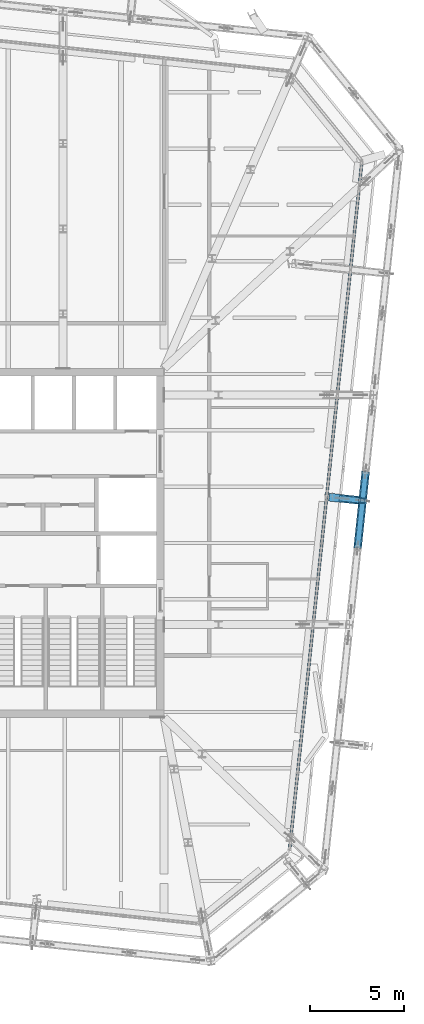
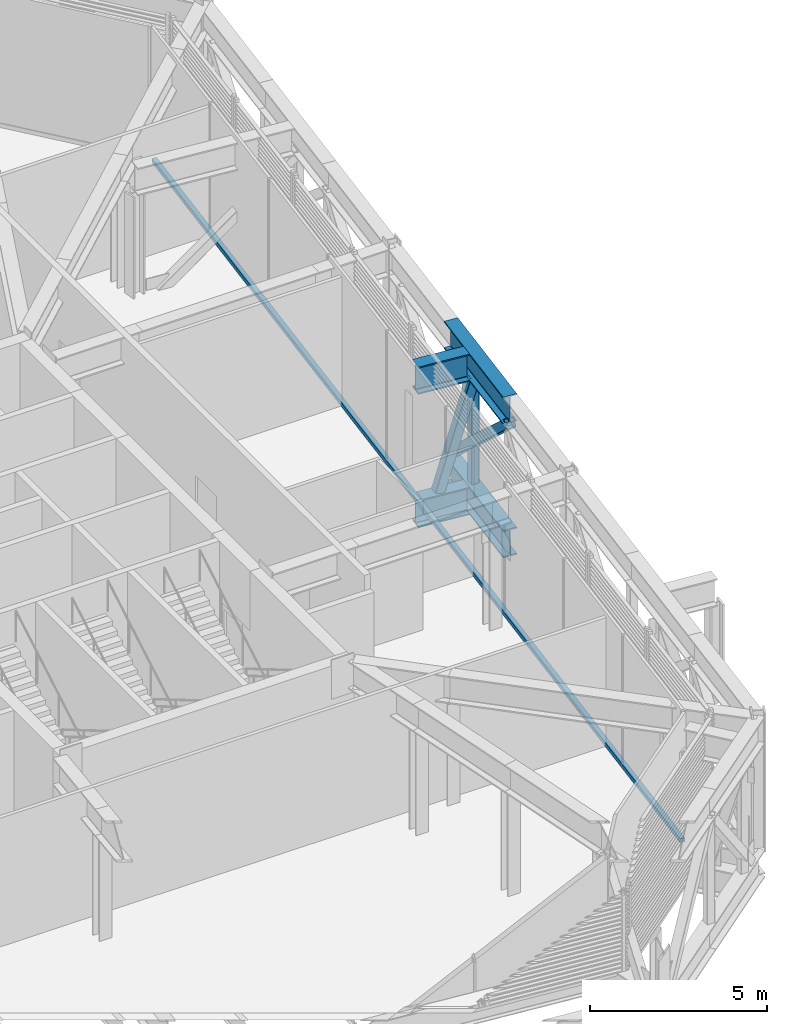
# One storey, part 11 of 36: 4 beams, 4 members, 1 element without a shape of its own.
"""IFC4 building model written with IfcOpenShell, lengths in metres."""

from ifc_helpers import new_model, si_unit, direction, frame, origin, origin_2d, place, context, subcontext, project, spatial, rectangle, hollow_rectangle, i_section, extrude, material, layer, layer_set, material_profile, profile_set, type_object, element, aggregate, save


model = new_model("IFC4")

# Units and contexts
model_context = context("Model", 3, precision=1e-05, world=origin(), true_north=direction((0.0, 1.0)))
body_context = subcontext(model_context, "Body", "Model", "MODEL_VIEW")
ifc_project = project(units=[si_unit("LENGTHUNIT", "METRE"), si_unit("AREAUNIT", "SQUARE_METRE"), si_unit("VOLUMEUNIT", "CUBIC_METRE"), si_unit("PLANEANGLEUNIT", "RADIAN"), si_unit("MASSUNIT", "GRAM", prefix="KILO")], contexts=[model_context])

# Site, building, storey
site_placement = place(None, origin())
site = spatial("IfcSite", under=ifc_project, at=site_placement, CompositionType="ELEMENT")
building_placement = place(site_placement, origin())
building = spatial("IfcBuilding", under=site, at=building_placement, Name="Millrace Tower", CompositionType="ELEMENT")
storey_placement = place(building_placement, frame((0.0, 0.0, 271.39990234375)))
storey = spatial("IfcBuildingStorey", under=building, at=storey_placement, Name="L62", CompositionType="ELEMENT", Elevation=271.39990234375)

# Curtain wall, member
ifc_material_1 = material(Name="Aluminium and glass", Category="aluminium")
ifc_layer = layer(ifc_material_1, 0.14990234375)
ifc_layer_set = layer_set([ifc_layer], Name="Aluminium and glass")
curtain_wall_type = type_object("IfcCurtainWallType", Name="CW-5 truss and plant storey louvred infill", PredefinedType="NOTDEFINED", material=ifc_layer_set)
curtain_wall_placement = place(storey_placement, origin())
curtain_wall = element("IfcCurtainWall", 1, at=curtain_wall_placement, inside=storey, type_object=curtain_wall_type, Name="Curtain wall E-F04 L62", PredefinedType="NOTDEFINED")
ifc_material_2 = material(Name="Aluminium", Category="aluminium")
ifc_material_profile_1 = material_profile(ifc_material_2, rectangle(XDim=0.14990234375, YDim=0.139892578125, at=origin_2d()))
ifc_profile_set_1 = profile_set([ifc_material_profile_1], Name="Aluminium")
member_type_1 = type_object("IfcMemberType", Name="CW-5 truss and plant storey louvred infill transom", PredefinedType="USERDEFINED", material=ifc_profile_set_1)
member_1_placement = place(storey_placement, frame((20.98193359375, -16.285400390625, 0.070068359375), z_axis=(0.104527916025, 0.994521952886, 0.0), x_axis=(-0.994521952886, 0.104527916025, 0.0)))
member_1 = element("IfcMember", 2, at=member_1_placement, type_object=member_type_1, Name="CW5 transom E-F04.1", ObjectType="TRANSOM", PredefinedType="USERDEFINED", context=body_context, shape_type="SweptSolid", body=[
    extrude(rectangle(XDim=0.14990234375, YDim=0.139892578125, at=origin_2d()), origin(), (0.0, 0.0, 1.0), 36.699951171875),
])
aggregate(curtain_wall, [member_1])

# Beams
ifc_material_3 = material(Name="Steel ASTM A992 Grade 50", Category="steel")
ifc_material_profile_2 = material_profile(ifc_material_3, i_section(OverallWidth=0.424072265625, OverallDepth=0.947509765625, WebThickness=0.02392578125, FlangeThickness=0.042724609375, FilletRadius=0.024169921875, at=origin_2d()))
ifc_profile_set_2 = profile_set([ifc_material_profile_2], Name="Steel ASTM A992 Grade 50")
beam_type = type_object("IfcBeamType", Name="Transfer truss chord W36x302", PredefinedType="BEAM", material=ifc_profile_set_2)
for number, where, z_axis, x_axis, name in (
    (3, (24.60009765625, -0.27587890625, -0.633544921875), (0.104560799856, 0.994518496124, 0.0), (-0.994518496124, 0.104560799856, 0.0), "TRS-L62-R07-B02"),
    (4, (24.60009765625, -0.27587890625, 3.96630859375), (0.104560799856, 0.994518496124, 0.0), (-0.994518496124, 0.104560799856, 0.0), "TRS-L62-R07-T02"),
):
    element("IfcBeam", number, at=place(storey_placement, frame(where, z_axis=z_axis, x_axis=x_axis)), inside=storey, type_object=beam_type, Name=name, PredefinedType="BEAM", context=body_context, shape_type="SweptSolid", body=[
        extrude(i_section(OverallWidth=0.424072265625, OverallDepth=0.947509765625, WebThickness=0.02392578125, FlangeThickness=0.042724609375, FilletRadius=0.024169921875, at=origin_2d()), origin(), (0.0, 0.0, 1.0), 4.10009765625),
    ])
for number, where, z_axis, x_axis, name in (
    (5, (23.07763671875, 2.4384765625, -0.633544921875), (0.994521469009, -0.10453251973, 0.0), (0.10453251973, 0.994521469009, 0.0), "TRS-L62-B-D-X07-B01"),
    (6, (23.07763671875, 2.4384765625, 3.96630859375), (0.994521469009, -0.10453251973, 0.0), (0.10453251973, 0.994521469009, 0.0), "TRS-L62-B-D-X07-T01"),
):
    element("IfcBeam", number, at=place(storey_placement, frame(where, z_axis=z_axis, x_axis=x_axis)), inside=storey, type_object=beam_type, Name=name, PredefinedType="BEAM", context=body_context, shape_type="SweptSolid", body=[
        extrude(i_section(OverallWidth=0.424072265625, OverallDepth=0.947509765625, WebThickness=0.02392578125, FlangeThickness=0.042724609375, FilletRadius=0.024169921875, at=origin_2d()), origin(), (0.0, 0.0, 1.0), 1.5859375),
    ])

# Members
ifc_material_4 = material(Name="Steel ASTM A500 Grade C", Category="steel")
ifc_material_profile_3 = material_profile(ifc_material_4, hollow_rectangle(XDim=0.3046875, YDim=0.3046875, WallThickness=0.0126953125, InnerFilletRadius=0.00634765625, OuterFilletRadius=0.01904296875, at=origin_2d()))
ifc_profile_set_3 = profile_set([ifc_material_profile_3], Name="Steel ASTM A500 Grade C")
member_type_2 = type_object("IfcMemberType", Name="Transfer truss diagonal HSS12x12x1/2", PredefinedType="BRACE", material=ifc_profile_set_3)
member_2_placement = place(storey_placement, frame((25.02880859375, 3.8017578125, -0.159912109375), z_axis=(-0.07807360809, -0.742588497903, 0.6651818056), x_axis=(0.994518496124, -0.104560799856, 0.0)))
element("IfcMember", 7, at=member_2_placement, inside=storey, type_object=member_type_2, Name="TRS-L62-R07-D02", PredefinedType="BRACE", context=body_context, shape_type="SweptSolid", body=[
    extrude(hollow_rectangle(XDim=0.3046875, YDim=0.3046875, WallThickness=0.0126953125, InnerFilletRadius=0.00634765625, OuterFilletRadius=0.01904296875, at=origin_2d()), origin(), (0.0, 0.0, 1.0), 5.4912109375),
])
member_3_placement = place(storey_placement, frame((23.77392578125, 2.365234375, -0.159912109375), z_axis=(0.286260428292, -0.030085510129, 0.957679397959), x_axis=(0.104522713517, 0.994522499675, 0.0)))
element("IfcMember", 8, at=member_3_placement, inside=storey, type_object=member_type_2, Name="TRS-L62-B-D-X07-D01", PredefinedType="BRACE", context=body_context, shape_type="SweptSolid", body=[
    extrude(hollow_rectangle(XDim=0.3046875, YDim=0.3046875, WallThickness=0.0126953125, InnerFilletRadius=0.00634765625, OuterFilletRadius=0.01904296875, at=origin_2d()), origin(), (0.0, 0.0, 1.0), 3.81396484375),
])
ifc_material_5 = material(Name="Steel ASTM A500 Grade C", Category="steel")
ifc_material_profile_4 = material_profile(ifc_material_5, hollow_rectangle(XDim=0.25390625, YDim=0.25390625, WallThickness=0.0126953125, InnerFilletRadius=0.00634765625, OuterFilletRadius=0.01904296875, at=origin_2d()))
ifc_profile_set_4 = profile_set([ifc_material_profile_4], Name="Steel ASTM A500 Grade C")
member_type_3 = type_object("IfcMemberType", Name="Transfer truss post HSS10x10x1/2", PredefinedType="POST", material=ifc_profile_set_4)
member_4_placement = place(storey_placement, frame((24.86572265625, 2.25048828125, -0.159912109375), z_axis=(0.0, 0.0, 1.0), x_axis=(1.0, 0.0, 0.0)))
element("IfcMember", 9, at=member_4_placement, inside=storey, type_object=member_type_3, Name="TRS-L62-B-D-X07-V01", PredefinedType="POST", context=body_context, shape_type="SweptSolid", body=[
    extrude(hollow_rectangle(XDim=0.25390625, YDim=0.25390625, WallThickness=0.0126953125, InnerFilletRadius=0.00634765625, OuterFilletRadius=0.01904296875, at=origin_2d()), origin(), (0.0, 0.0, 1.0), 3.652587890625),
])

save(model, "model.ifc")
